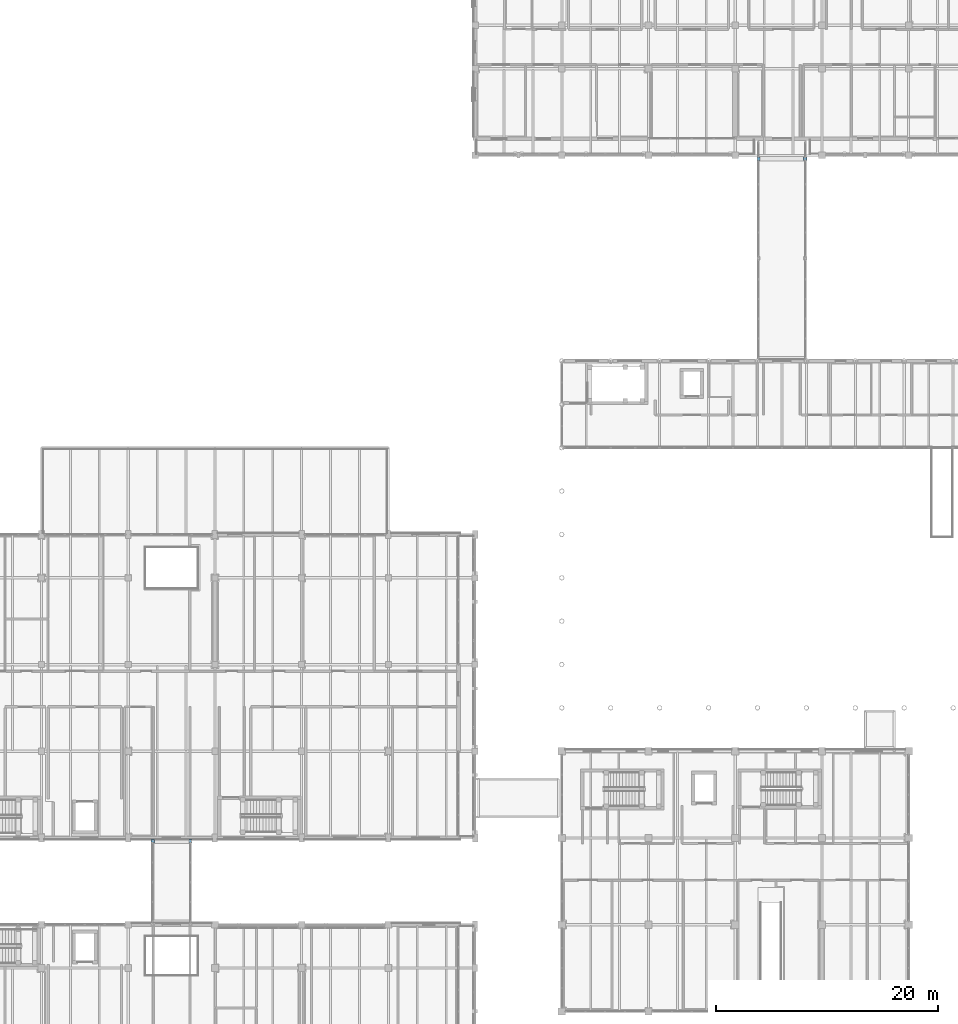
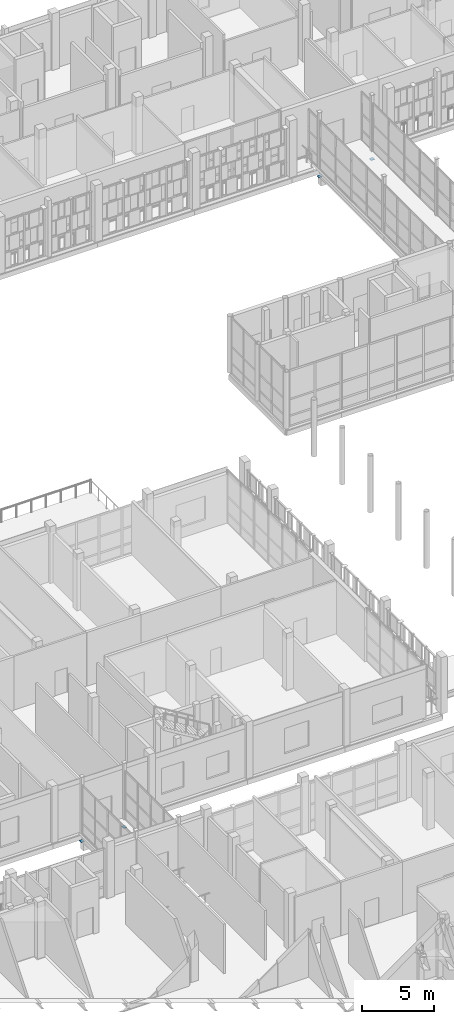
# One storey, part 116 of 138: 4 discrete accessories.
"""IFC4 building model written with IfcOpenShell, lengths in metres."""

from ifc_helpers import new_model, si_unit, direction, frame, origin, origin_2d, place, context, subcontext, project, spatial, rectangle, extrude, material, type_object, element, save


model = new_model("IFC4")

# Units and contexts
model_context = context("Model", 3, precision=1e-05, world=origin(), true_north=direction((0.0, 1.0)))
body_context = subcontext(model_context, "Body", "Model", "MODEL_VIEW")
ifc_project = project(units=[si_unit("LENGTHUNIT", "METRE"), si_unit("AREAUNIT", "SQUARE_METRE"), si_unit("VOLUMEUNIT", "CUBIC_METRE"), si_unit("PLANEANGLEUNIT", "RADIAN"), si_unit("MASSUNIT", "GRAM", prefix="KILO")], contexts=[model_context])

# Site, building, storey
site_placement = place(None, origin())
site = spatial("IfcSite", under=ifc_project, at=site_placement, CompositionType="ELEMENT")
building_placement = place(site_placement, origin())
building = spatial("IfcBuilding", under=site, at=building_placement, Name="Celorna Specialist Clinic", CompositionType="ELEMENT")
storey_placement = place(building_placement, frame((0.0, 0.0, 4.800048828125)))
storey = spatial("IfcBuildingStorey", under=building, at=storey_placement, Name="L01", CompositionType="ELEMENT", Elevation=4.800048828125)

# Discrete accessories
ifc_material = material(Name="Biaxially unguided PTFE elastomeric sliding bearing")
discrete_accessory_type = type_object("IfcDiscreteAccessoryType", Name="SBG-01", PredefinedType="USERDEFINED", material=ifc_material)
for number, where, z_axis, x_axis, name in (
    (1, (17.800048828125, 34.800048828125, -0.715087890625), (0.0, 0.0, 1.0), (1.0, 0.0, 0.0), "Unguided PTFE bridge sliding bearing BR-01 L01"),
    (2, (21.199951171875, 34.800048828125, -0.715087890625), (0.0, 0.0, 1.0), (1.0, 0.0, 0.0), "Unguided PTFE bridge sliding bearing BR-01 L01"),
    (3, (72.300048828125, 96.199951171875, -0.715087890625), (0.0, 0.0, 1.0), (1.0, 0.0, 0.0), "Unguided PTFE bridge sliding bearing BR-04 L01"),
    (4, (76.5, 96.199951171875, -0.715087890625), (0.0, 0.0, 1.0), (1.0, 0.0, 0.0), "Unguided PTFE bridge sliding bearing BR-04 L01"),
):
    element("IfcDiscreteAccessory", number, at=place(storey_placement, frame(where, z_axis=z_axis, x_axis=x_axis)), inside=storey, type_object=discrete_accessory_type, Name=name, ObjectType="SLIDING BEARING", PredefinedType="USERDEFINED", context=body_context, shape_type="SweptSolid", body=[
        extrude(rectangle(XDim=0.280029296875, YDim=0.280029296875, at=origin_2d()), origin(), (0.0, 0.0, 1.0), 0.044921875),
    ])

save(model, "model.ifc")
